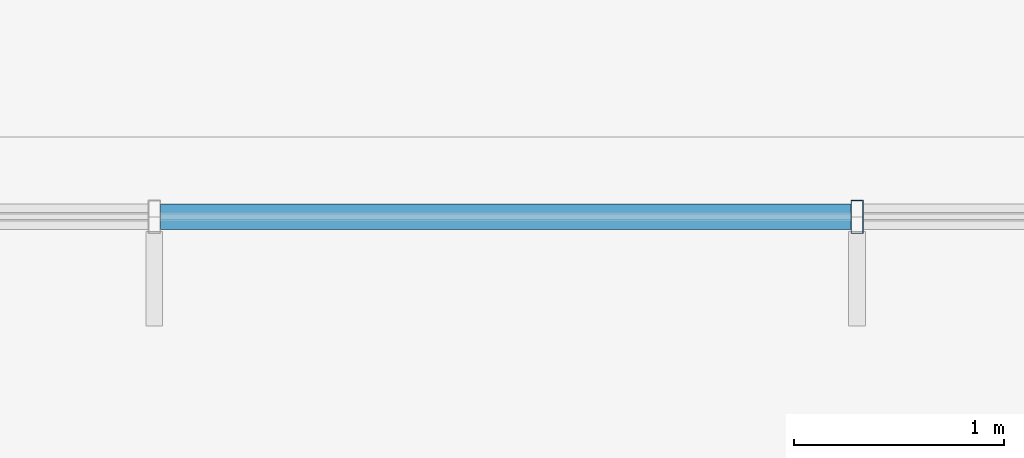
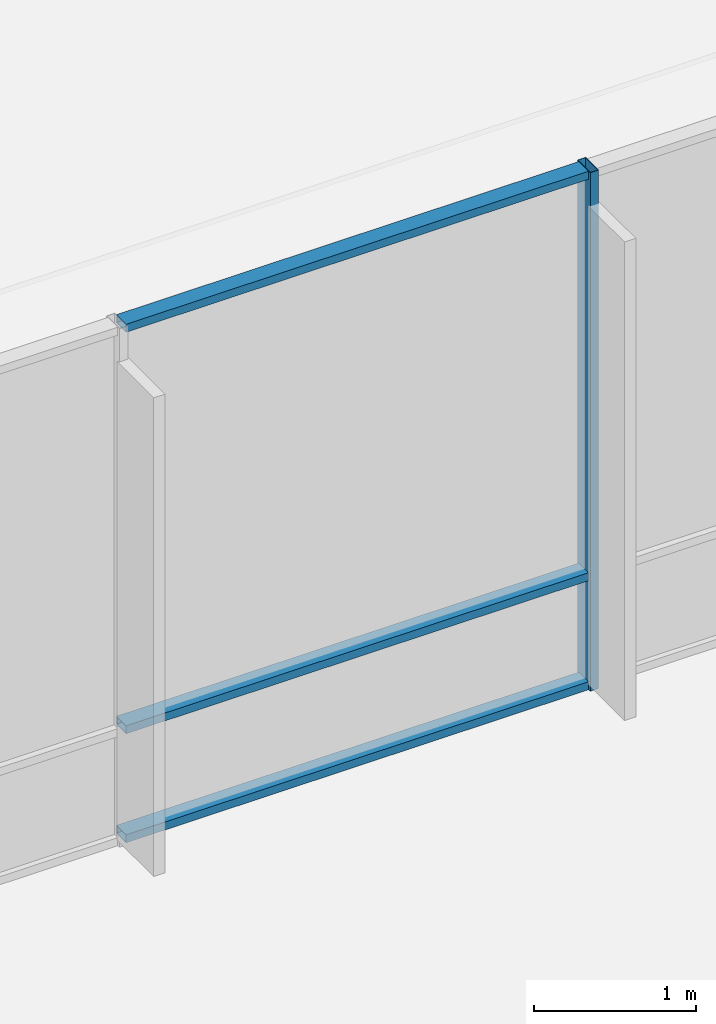
# One storey, part 115 of 233: 4 members, 1 element without a shape of its own.
"""IFC4 building model written with IfcOpenShell, lengths in metres."""

from ifc_helpers import new_model, si_unit, direction, frame, origin, origin_2d, place, context, subcontext, project, spatial, hollow_rectangle, extrude, material, material_profile, profile_set, type_object, element, aggregate, save


model = new_model("IFC4")

# Units and contexts
model_context = context("Model", 3, precision=1e-05, world=origin(), true_north=direction((0.0, 1.0)))
body_context = subcontext(model_context, "Body", "Model", "MODEL_VIEW")
ifc_project = project(units=[si_unit("LENGTHUNIT", "METRE"), si_unit("AREAUNIT", "SQUARE_METRE"), si_unit("VOLUMEUNIT", "CUBIC_METRE"), si_unit("PLANEANGLEUNIT", "RADIAN"), si_unit("MASSUNIT", "GRAM", prefix="KILO")], contexts=[model_context])

# Site, building, storey
site_placement = place(None, origin())
site = spatial("IfcSite", under=ifc_project, at=site_placement, CompositionType="ELEMENT")
building_placement = place(site_placement, origin())
building = spatial("IfcBuilding", under=site, at=building_placement, Name="Zavelmont Quarter", CompositionType="ELEMENT")
storey_placement = place(building_placement, origin())
storey = spatial("IfcBuildingStorey", under=building, at=storey_placement, Name="L00", CompositionType="ELEMENT", Elevation=0.0)

# Curtain wall, members
ifc_material_1 = material(Name="Thermally broken aluminium and double low-E safety glazing", Category="aluminium")
curtain_wall_type = type_object("IfcCurtainWallType", Name="CW-1340X390", PredefinedType="NOTDEFINED", material=ifc_material_1)
curtain_wall_placement = place(storey_placement, origin())
curtain_wall = element("IfcCurtainWall", 1, at=curtain_wall_placement, inside=storey, type_object=curtain_wall_type, Name="L00 unitised curtain wall CW-1340X390", PredefinedType="NOTDEFINED")
ifc_material_2 = material(Name="Powder-coated aluminium EN AW-6063-T6", Category="aluminium")
ifc_material_profile_1 = material_profile(ifc_material_2, hollow_rectangle(XDim=0.06005859375, YDim=0.159912109375, WallThickness=0.00390625, at=origin_2d()), Name="CWM60X160")
ifc_profile_set_1 = profile_set([ifc_material_profile_1], Name="Powder-coated aluminium EN AW-6063-T6")
member_type_1 = type_object("IfcMemberType", Name="CWM01", PredefinedType="MULLION", material=ifc_profile_set_1)
member_1_placement = place(storey_placement, frame((63.300048828125, 101.60009765625, 0.0), z_axis=(0.0, 0.0, 1.0), x_axis=(1.0, 0.0, 0.0)))
member_1 = element("IfcMember", 2, at=member_1_placement, type_object=member_type_1, Name="CW-1340X390 mullion 3", PredefinedType="MULLION", context=body_context, shape_type="SweptSolid", body=[
    extrude(hollow_rectangle(XDim=0.06005859375, YDim=0.159912109375, WallThickness=0.00390625, at=origin_2d()), origin(), (0.0, 0.0, 1.0), 3.89990234375),
])
ifc_material_profile_2 = material_profile(ifc_material_2, hollow_rectangle(XDim=0.1201171875, YDim=0.06005859375, WallThickness=0.00390625, at=origin_2d()), Name="CWT60X120")
ifc_profile_set_2 = profile_set([ifc_material_profile_2], Name="Powder-coated aluminium EN AW-6063-T6")
member_type_2 = type_object("IfcMemberType", Name="CWT01", PredefinedType="NOTDEFINED", material=ifc_profile_set_2)
member_2_placement = place(storey_placement, frame((59.97998046875, 101.60009765625, 0.030029296875), z_axis=(1.0, 0.0, 0.0), x_axis=(0.0, 1.0, 0.0)))
member_2 = element("IfcMember", 3, at=member_2_placement, type_object=member_type_2, Name="CW-1340X390 transom 2.1", ObjectType="TRANSOM", PredefinedType="USERDEFINED", context=body_context, shape_type="SweptSolid", body=[
    extrude(hollow_rectangle(XDim=0.1201171875, YDim=0.06005859375, WallThickness=0.00390625, at=origin_2d()), origin(), (0.0, 0.0, 1.0), 3.2900390625),
])
member_3_placement = place(storey_placement, frame((59.97998046875, 101.60009765625, 0.85009765625), z_axis=(1.0, 0.0, 0.0), x_axis=(0.0, 1.0, 0.0)))
member_3 = element("IfcMember", 4, at=member_3_placement, type_object=member_type_2, Name="CW-1340X390 transom 2.2", ObjectType="TRANSOM", PredefinedType="USERDEFINED", context=body_context, shape_type="SweptSolid", body=[
    extrude(hollow_rectangle(XDim=0.1201171875, YDim=0.06005859375, WallThickness=0.00390625, at=origin_2d()), origin(), (0.0, 0.0, 1.0), 3.2900390625),
])
member_4_placement = place(storey_placement, frame((59.97998046875, 101.60009765625, 3.8701171875), z_axis=(1.0, 0.0, 0.0), x_axis=(0.0, 1.0, 0.0)))
member_4 = element("IfcMember", 5, at=member_4_placement, type_object=member_type_2, Name="CW-1340X390 transom 2.3", ObjectType="TRANSOM", PredefinedType="USERDEFINED", context=body_context, shape_type="SweptSolid", body=[
    extrude(hollow_rectangle(XDim=0.1201171875, YDim=0.06005859375, WallThickness=0.00390625, at=origin_2d()), origin(), (0.0, 0.0, 1.0), 3.2900390625),
])
aggregate(curtain_wall, [member_1, member_2, member_3, member_4])

save(model, "model.ifc")
